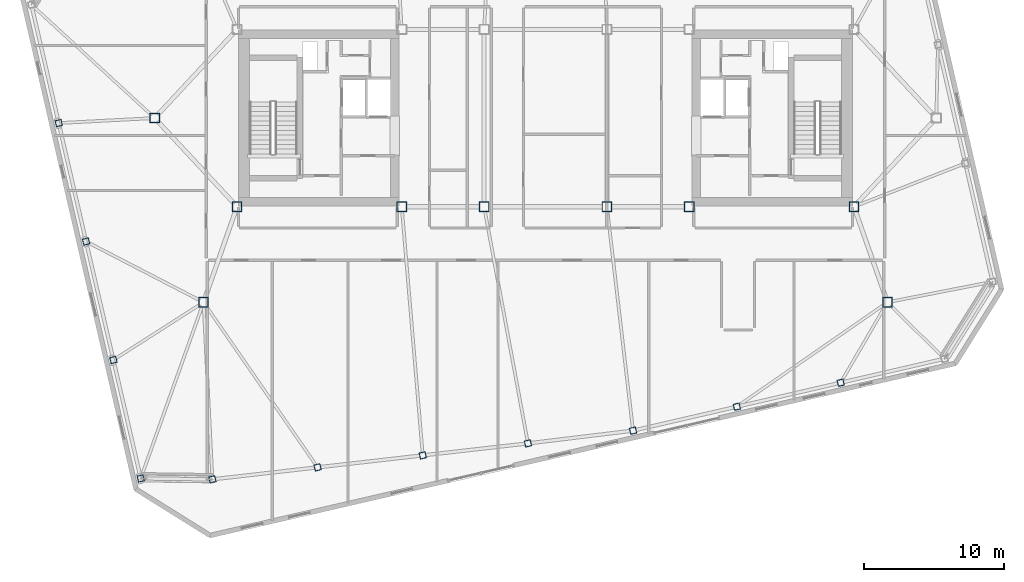
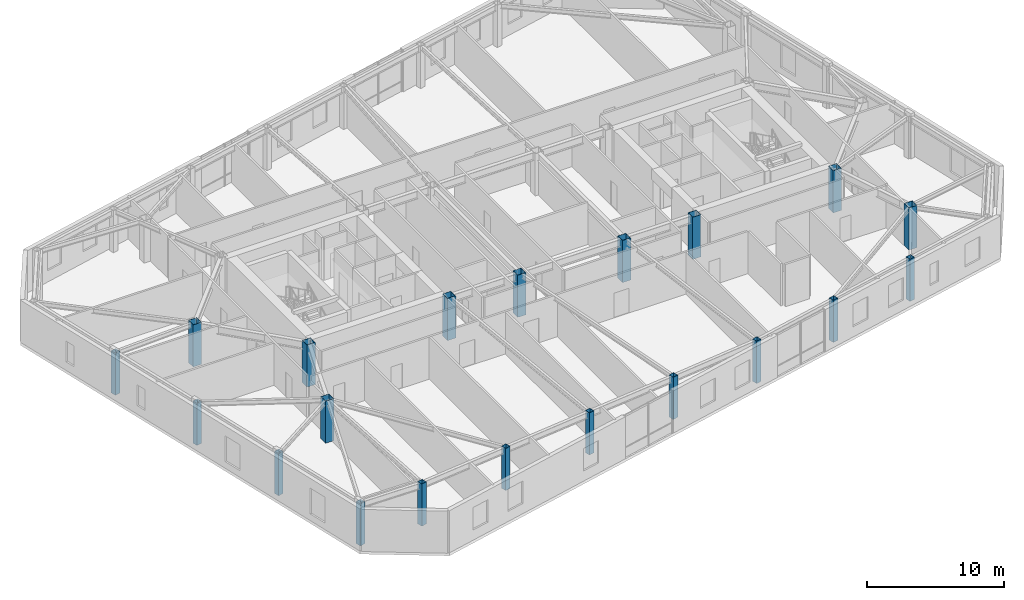
# One storey, part 1 of 23: 20 columns.
"""IFC4 building model written with IfcOpenShell, lengths in metres."""

from ifc_helpers import new_model, si_unit, direction, frame, origin, origin_2d, place, context, subcontext, project, spatial, hollow_rectangle, extrude, material, material_profile, profile_set, type_object, element, save


model = new_model("IFC4")

# Units and contexts
model_context = context("Model", 3, precision=1e-05, world=origin(), true_north=direction((0.0, 1.0)))
body_context = subcontext(model_context, "Body", "Model", "MODEL_VIEW")
ifc_project = project(units=[si_unit("LENGTHUNIT", "METRE"), si_unit("AREAUNIT", "SQUARE_METRE"), si_unit("VOLUMEUNIT", "CUBIC_METRE"), si_unit("PLANEANGLEUNIT", "RADIAN"), si_unit("MASSUNIT", "GRAM", prefix="KILO")], contexts=[model_context])

# Site, building, storey
site_placement = place(None, origin())
site = spatial("IfcSite", under=ifc_project, at=site_placement, CompositionType="ELEMENT")
building_placement = place(site_placement, origin())
building = spatial("IfcBuilding", under=site, at=building_placement, Name="Tavrogorsk Clinical Tower", CompositionType="ELEMENT")
storey_placement = place(building_placement, frame((0.0, 0.0, 301.0)))
storey = spatial("IfcBuildingStorey", under=building, at=storey_placement, Name="L70", CompositionType="ELEMENT", Elevation=301.0)

# Columns
ifc_material_1 = material(Name="Structural steel S440", Category="steel")
ifc_material_profile_1 = material_profile(ifc_material_1, hollow_rectangle(XDim=0.699951171875, YDim=0.699951171875, WallThickness=0.031982421875, at=origin_2d()), Name="BOX-700x700x32")
ifc_profile_set_1 = profile_set([ifc_material_profile_1], Name="Structural steel S440")
column_type_1 = type_object("IfcColumnType", Name="MegaCol_BOX700", PredefinedType="COLUMN", material=ifc_profile_set_1)
for number, where, z_axis, x_axis, name in (
    (1, (-22.10009765625, -6.35009765625, 0.0), (0.0, 0.0, 1.0), (1.0, 0.0, 0.0), "L70 Mega Column MC-W1"),
    (2, (-10.300048828125, -6.35009765625, 0.0), (0.0, 0.0, 1.0), (1.0, 0.0, 0.0), "L70 Mega Column MC-W3"),
    (3, (10.300048828125, -6.35009765625, 0.0), (0.0, 0.0, 1.0), (1.0, 0.0, 0.0), "L70 Mega Column MC-E1"),
    (4, (22.10009765625, -6.35009765625, 0.0), (0.0, 0.0, 1.0), (1.0, 0.0, 0.0), "L70 Mega Column MC-E3"),
    (5, (-4.39990234375, -6.35009765625, 0.0), (0.0, 0.0, 1.0), (1.0, 0.0, 0.0), "L70 Mega Column MC-C1"),
    (6, (4.39990234375, -6.35009765625, 0.0), (0.0, 0.0, 1.0), (1.0, 0.0, 0.0), "L70 Mega Column MC-C2"),
    (7, (-24.5, -13.199951171875, 0.0), (0.0, 0.0, 1.0), (1.0, 0.0, 0.0), "L70 Spine Pilotis Column MC-P1"),
    (8, (24.5, -13.199951171875, 0.0), (0.0, 0.0, 1.0), (1.0, 0.0, 0.0), "L70 Spine Pilotis Column MC-P2"),
    (9, (-28.0, 0.0, 0.0), (0.0, 0.0, 1.0), (1.0, 0.0, 0.0), "L70 Spine Pilotis Column MC-P5"),
):
    element("IfcColumn", number, at=place(storey_placement, frame(where, z_axis=z_axis, x_axis=x_axis)), inside=storey, type_object=column_type_1, Name=name, PredefinedType="COLUMN", context=body_context, shape_type="SweptSolid", body=[
        extrude(hollow_rectangle(XDim=0.699951171875, YDim=0.699951171875, WallThickness=0.031982421875, at=origin_2d()), origin(), (0.0, 0.0, 1.0), 3.739990234375),
    ])
ifc_material_2 = material(Name="Structural steel S440", Category="steel")
ifc_material_profile_2 = material_profile(ifc_material_2, hollow_rectangle(XDim=0.449951171875, YDim=0.449951171875, WallThickness=0.02197265625, at=origin_2d()), Name="BOX-450x450x22")
ifc_profile_set_2 = profile_set([ifc_material_profile_2], Name="Structural steel S440")
column_type_2 = type_object("IfcColumnType", Name="PerimCol_B5_BOX450", PredefinedType="COLUMN", material=ifc_profile_set_2)
for number, where, z_axis, x_axis, name in (
    (10, (-23.866943359375, -25.8857421875, 0.0), (0.0, 0.0, 1.0), (0.974370064785, 0.224951054344, 0.0), "L70 Perimeter Column S1"),
    (11, (-16.330322265625, -25.027099609375, 0.0), (0.0, 0.0, 1.0), (0.974370064785, 0.224951054344, 0.0), "L70 Perimeter Column S2"),
    (12, (-8.7939453125, -24.16845703125, 0.0), (0.0, 0.0, 1.0), (0.974370064785, 0.224951054344, 0.0), "L70 Perimeter Column S3"),
    (13, (-1.257568359375, -23.309814453125, 0.0), (0.0, 0.0, 1.0), (0.974370064785, 0.224951054344, 0.0), "L70 Perimeter Column S4"),
    (14, (6.272705078125, -22.39697265625, 0.0), (0.0, 0.0, 1.0), (0.974370064785, 0.224951054344, 0.0), "L70 Perimeter Column S5"),
    (15, (13.711181640625, -20.6796875, 0.0), (0.0, 0.0, 1.0), (0.974370064785, 0.224951054344, 0.0), "L70 Perimeter Column S6"),
    (16, (21.14990234375, -18.96240234375, 0.0), (0.0, 0.0, 1.0), (0.974370064785, 0.224951054344, 0.0), "L70 Perimeter Column S7"),
    (17, (-34.876708984375, -0.358642578125, 0.0), (0.0, 0.0, 1.0), (0.974370064785, 0.224951054344, 0.0), "L70 Perimeter Column W2"),
    (18, (-32.917236328125, -8.845458984375, 0.0), (0.0, 0.0, 1.0), (0.974370064785, 0.224951054344, 0.0), "L70 Perimeter Column W3"),
    (19, (-30.9580078125, -17.332275390625, 0.0), (0.0, 0.0, 1.0), (0.974370064785, 0.224951054344, 0.0), "L70 Perimeter Column W4"),
    (20, (-28.99853515625, -25.819091796875, 0.0), (0.0, 0.0, 1.0), (0.974370064785, 0.224951054344, 0.0), "L70 Perimeter Column W5"),
):
    element("IfcColumn", number, at=place(storey_placement, frame(where, z_axis=z_axis, x_axis=x_axis)), inside=storey, type_object=column_type_2, Name=name, PredefinedType="COLUMN", context=body_context, shape_type="SweptSolid", body=[
        extrude(hollow_rectangle(XDim=0.449951171875, YDim=0.449951171875, WallThickness=0.02197265625, at=origin_2d()), origin(), (0.0, 0.0, 1.0), 3.739990234375),
    ])

save(model, "model.ifc")
